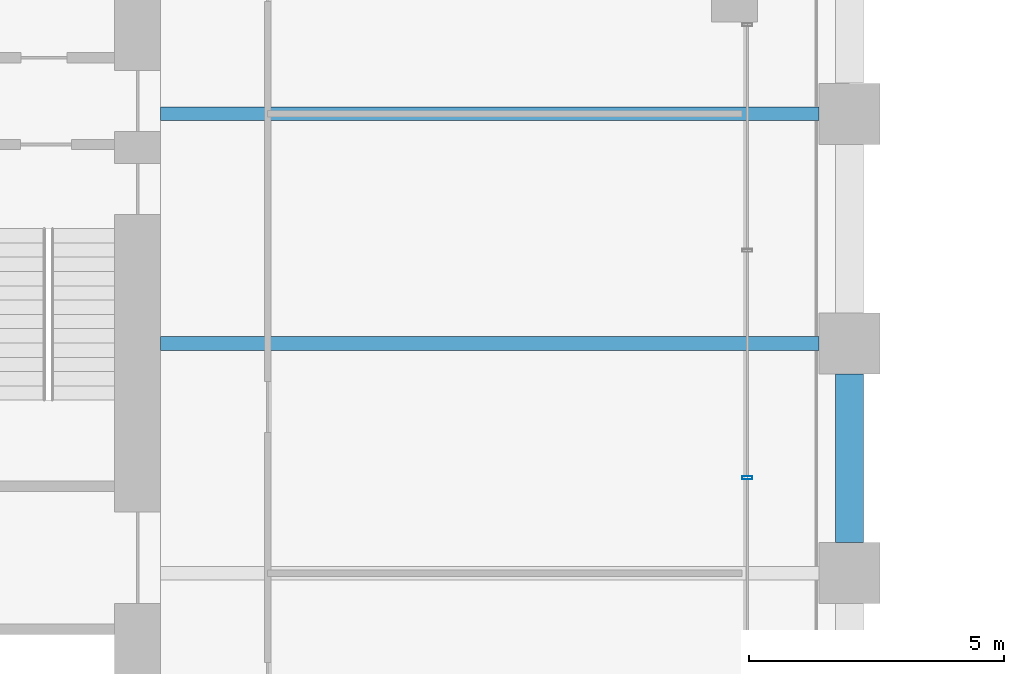
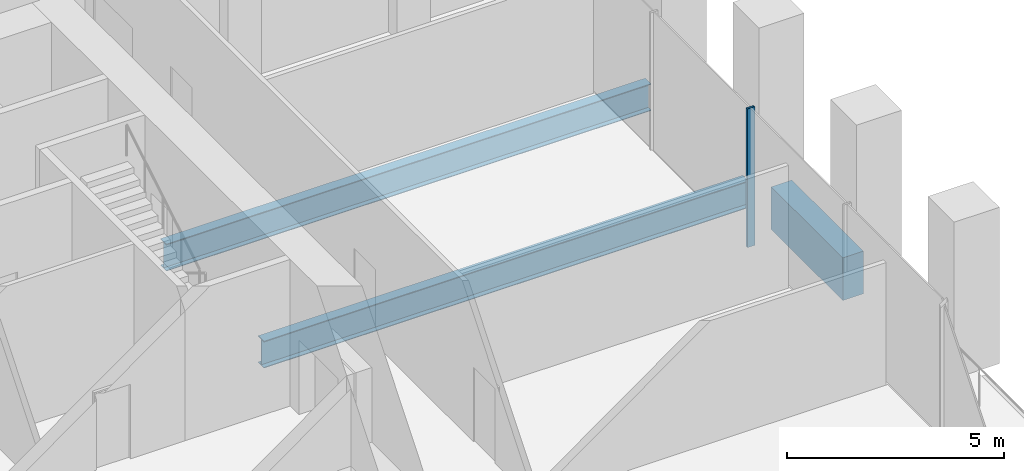
# One storey, part 11 of 36: 3 beams, 1 member, 1 element without a shape of its own.
"""IFC4 building model written with IfcOpenShell, lengths in metres."""

import ifcopenshell
import ifcopenshell.guid

model = None  # the IFC model being written
_history = None  # IfcOwnerHistory: only IFC2X3 demands one
_inside = {}  # id of a spatial element -> (the spatial element, [elements in it])
_under = {}  # id of a project, library or spatial element -> (it, [spatial elements below it])
_declared = {}  # id of a project -> (the project, [libraries it declares])
_typed = {}  # id of a type object -> (the type object, [elements of that type])
_made_of = {}  # id of a material, layer set ... -> (it, [elements and type objects made of it])


def new_model(schema):
    """Start an empty IFC model of exactly this schema.

    Asked for "IFC4X3", IfcOpenShell would pick the latest addendum, in which some entities
    have other attributes; the version numbers below select the first issue.
    IFC2X3 requires an IfcOwnerHistory on every rooted entity: one is made here for all.
    """
    global model, _history
    if schema == "IFC4X3":
        model = ifcopenshell.file(schema_version=(4, 3, 0, 0))
    else:
        model = ifcopenshell.file(schema=schema)
    _inside.clear()
    _under.clear()
    _declared.clear()
    _typed.clear()
    _made_of.clear()
    _history = None
    if model.schema == "IFC2X3":
        org = make("IfcOrganization", Name="unknown")
        user = make(
            "IfcPersonAndOrganization",
            ThePerson=make("IfcPerson", FamilyName="unknown"),
            TheOrganization=org,
        )
        app = make(
            "IfcApplication",
            ApplicationDeveloper=org,
            Version="unknown",
            ApplicationFullName="unknown",
            ApplicationIdentifier="unknown",
        )
        _history = make(
            "IfcOwnerHistory",
            OwningUser=user,
            OwningApplication=app,
            ChangeAction="ADDED",
            CreationDate=0,
        )
    return model


def make(cls, **values):
    """One entity of the class cls with the attributes given. An attribute that is None is left unset."""
    return model.create_entity(
        cls, **{name: value for name, value in values.items() if value is not None}
    )


def rooted(cls, **values):
    """An entity with a GlobalId (a new one), such as an element, a storey or a relation."""
    return make(cls, GlobalId=ifcopenshell.guid.new(), OwnerHistory=_history, **values)


def si_unit(unit_type, name, prefix=None):
    """IfcSIUnit, for example si_unit("LENGTHUNIT", "METRE", prefix="MILLI")."""
    return make("IfcSIUnit", UnitType=unit_type, Prefix=prefix, Name=name)


def assignment(units):
    """IfcUnitAssignment: the units of a project."""
    return None if units is None else make("IfcUnitAssignment", Units=units)


def point(xyz):
    """IfcCartesianPoint."""
    return None if xyz is None else make("IfcCartesianPoint", Coordinates=xyz)


def direction(xyz):
    """IfcDirection."""
    return None if xyz is None else make("IfcDirection", DirectionRatios=xyz)


def frame(location, z_axis=None, x_axis=None):
    """IfcAxis2Placement3D, a coordinate frame: its origin and axes. An axis left out is left unset."""
    return make(
        "IfcAxis2Placement3D",
        Location=point(location),
        Axis=direction(z_axis),
        RefDirection=direction(x_axis),
    )


def frame_2d(location, x_axis=None):
    """IfcAxis2Placement2D, a coordinate frame in the plane: its origin and x axis."""
    return make(
        "IfcAxis2Placement2D", Location=point(location), RefDirection=direction(x_axis)
    )


def origin():
    """The frame at (0, 0, 0) with its axes left unset."""
    return frame((0.0, 0.0, 0.0))


def origin_2d():
    """The frame at (0, 0) in the plane with its x axis left unset."""
    return frame_2d((0.0, 0.0))


def place(relative_to, where):
    """IfcLocalPlacement: puts the frame where relative to a parent placement (None: the world)."""
    return make(
        "IfcLocalPlacement", PlacementRelTo=relative_to, RelativePlacement=where
    )


def context(
    kind, dimensions, precision=None, world=None, true_north=None, identifier=None
):
    """IfcGeometricRepresentationContext, for example the 3D "Model" context."""
    return make(
        "IfcGeometricRepresentationContext",
        ContextIdentifier=identifier,
        ContextType=kind,
        CoordinateSpaceDimension=dimensions,
        Precision=precision,
        WorldCoordinateSystem=world,
        TrueNorth=true_north,
    )


def subcontext(parent, identifier, kind, view, scale=None):
    """IfcGeometricRepresentationSubContext, for example "Body" below "Model"."""
    return make(
        "IfcGeometricRepresentationSubContext",
        ContextIdentifier=identifier,
        ContextType=kind,
        ParentContext=parent,
        TargetScale=scale,
        TargetView=view,
    )


def project(units=None, contexts=None):
    """IfcProject with its units and contexts."""
    return rooted(
        "IfcProject",
        Name="project",
        RepresentationContexts=contexts,
        UnitsInContext=assignment(units),
    )


def spatial(cls, under=None, at=None, **own):
    """A site, building, storey or space (cls), placed at a placement, below another one or the project."""
    s = rooted(cls, ObjectPlacement=at, **own)
    if under is not None:
        _under.setdefault(under.id(), (under, []))[1].append(s)
    return s


def profile(cls, at=None, kind="AREA", **sizes):
    """A parametric profile (cls). Its sizes go by their IFC names, for example OverallWidth=200.0."""
    return make(cls, ProfileType=kind, Position=at, **sizes)


def rectangle(**sizes):
    """IfcRectangleProfileDef."""
    return profile("IfcRectangleProfileDef", **sizes)


def hollow_rectangle(**sizes):
    """IfcRectangleHollowProfileDef."""
    return profile("IfcRectangleHollowProfileDef", **sizes)


def i_section(**sizes):
    """IfcIShapeProfileDef."""
    return profile("IfcIShapeProfileDef", **sizes)


def extrude(swept, where, along, depth):
    """IfcExtrudedAreaSolid: the profile swept, set in the frame where, extruded along a direction by depth."""
    return make(
        "IfcExtrudedAreaSolid",
        SweptArea=swept,
        Position=where,
        ExtrudedDirection=direction(along),
        Depth=depth,
    )


def shape(context_of_items, identifier, shape_type, items):
    """IfcShapeRepresentation: the items that make up one representation, for example the "Body"."""
    return make(
        "IfcShapeRepresentation",
        ContextOfItems=context_of_items,
        RepresentationIdentifier=identifier,
        RepresentationType=shape_type,
        Items=items,
    )


def material(Name=None, Category=None):
    """IfcMaterial."""
    return make("IfcMaterial", Name=Name, Category=Category)


def material_profile(
    of_material, cross_section, Name=None, Category=None, Priority=None
):
    """IfcMaterialProfile: a cross section and its material."""
    return make(
        "IfcMaterialProfile",
        Name=Name,
        Material=of_material,
        Profile=cross_section,
        Priority=Priority,
        Category=Category,
    )


def profile_set(profiles, Name=None, composite=None):
    """IfcMaterialProfileSet."""
    return make(
        "IfcMaterialProfileSet",
        Name=Name,
        MaterialProfiles=profiles,
        CompositeProfile=composite,
    )


def made_of(thing, what):
    """Note that an element or type object is made of a material, layer set ...; save() writes the relation."""
    if what is not None:
        _made_of.setdefault(what.id(), (what, []))[1].append(thing)
    return thing


def type_object(cls, material=None, **own):
    """A type object (cls), such as IfcWallType, which elements share."""
    return made_of(rooted(cls, **own), material)


def element(
    cls,
    number,
    at=None,
    inside=None,
    cuts=None,
    type_object=None,
    material=None,
    context=None,
    identifier="Body",
    shape_type=None,
    held_by="IfcProductDefinitionShape",
    body=None,
    shapes=None,
    **own,
):
    """One element of the class cls, such as IfcWall. Its Tag is "e" and its number.

    at: its placement. inside: the storey or other place that contains it. cuts: it is an
    opening in that element (IfcRelVoidsElement). A single representation is given by context,
    identifier, shape_type and body (its items); several are given by shapes. held_by: the class
    of the entity that holds the representations. save() writes the other relations.
    """
    e = rooted(cls, Tag="e%d" % number, ObjectPlacement=at, **own)
    if body is not None:
        shapes = [shape(context, identifier, shape_type, body)]
    if shapes is not None:
        e.Representation = make(held_by, Representations=shapes)
    if inside is not None:
        _inside.setdefault(inside.id(), (inside, []))[1].append(e)
    if cuts is not None:
        rooted(
            "IfcRelVoidsElement", RelatingBuildingElement=cuts, RelatedOpeningElement=e
        )
    if type_object is not None:
        _typed.setdefault(type_object.id(), (type_object, []))[1].append(e)
    return made_of(e, material)


def aggregate(whole, parts):
    """IfcRelAggregates: a whole, such as a stair, and the parts it consists of."""
    return rooted("IfcRelAggregates", RelatingObject=whole, RelatedObjects=parts)


def save(model, path):
    """Write the relations noted so far, then the file.

    IfcRelAggregates (storeys below a building ...), IfcRelContainedInSpatialStructure (elements
    in a storey), IfcRelDefinesByType, IfcRelAssociatesMaterial and IfcRelDeclares: one each for
    every whole, place, type object, material and project.
    """
    for whole, parts in _under.values():
        aggregate(whole, parts)
    for where, things in _inside.values():
        rooted(
            "IfcRelContainedInSpatialStructure",
            RelatedElements=things,
            RelatingStructure=where,
        )
    for kind, things in _typed.values():
        rooted("IfcRelDefinesByType", RelatedObjects=things, RelatingType=kind)
    for what, things in _made_of.values():
        rooted("IfcRelAssociatesMaterial", RelatedObjects=things, RelatingMaterial=what)
    for by, libraries in _declared.values():
        rooted("IfcRelDeclares", RelatingContext=by, RelatedDefinitions=libraries)
    model.write(path)


model = new_model("IFC4")

# Units and contexts
model_context = context("Model", 3, precision=1e-05, world=origin(), true_north=direction((0.0, 1.0)))
body_context = subcontext(model_context, "Body", "Model", "MODEL_VIEW")
ifc_project = project(units=[si_unit("LENGTHUNIT", "METRE"), si_unit("AREAUNIT", "SQUARE_METRE"), si_unit("VOLUMEUNIT", "CUBIC_METRE"), si_unit("PLANEANGLEUNIT", "RADIAN"), si_unit("MASSUNIT", "GRAM", prefix="KILO")], contexts=[model_context])

# Site, building, storey
site_placement = place(None, origin())
site = spatial("IfcSite", under=ifc_project, at=site_placement, CompositionType="ELEMENT")
building_placement = place(site_placement, origin())
building = spatial("IfcBuilding", under=site, at=building_placement, Name="Altepetl Exchange Towers", CompositionType="ELEMENT")
storey_placement = place(building_placement, frame((0.0, 0.0, 25.39990234375)))
storey = spatial("IfcBuildingStorey", under=building, at=storey_placement, Name="L05", CompositionType="ELEMENT", Elevation=25.39990234375)

# Beams
ifc_material_1 = material(Name="Steel S355", Category="steel")
ifc_material_profile_1 = material_profile(ifc_material_1, i_section(OverallWidth=0.26611328125, OverallDepth=0.758056640625, WebThickness=0.013916015625, FlangeThickness=0.019287109375, at=origin_2d()), Name="W30X108")
ifc_profile_set_1 = profile_set([ifc_material_profile_1], Name="Steel S355")
beam_type_1 = type_object("IfcBeamType", Name="Floor beam W30X108", PredefinedType="BEAM", material=ifc_profile_set_1)
for number, where, z_axis, x_axis, name in (
    (1, (58.5, 49.5, -0.553955078125), (1.0, 0.0, 0.0), (0.0, 1.0, 0.0), "bm:A:L05:010"),
    (2, (58.5, 54.0, -0.553955078125), (1.0, 0.0, 0.0), (0.0, 1.0, 0.0), "bm:A:L05:011"),
):
    element("IfcBeam", number, at=place(storey_placement, frame(where, z_axis=z_axis, x_axis=x_axis)), inside=storey, type_object=beam_type_1, Name=name, PredefinedType="BEAM", context=body_context, shape_type="SweptSolid", body=[
        extrude(i_section(OverallWidth=0.26611328125, OverallDepth=0.758056640625, WebThickness=0.013916015625, FlangeThickness=0.019287109375, at=origin_2d()), origin(), (0.0, 0.0, 1.0), 12.89990234375),
    ])

# Curtain wall, member
ifc_material_2 = material(Name="Aluminium 6063-T6 glazing", Category="aluminium")
curtain_wall_type = type_object("IfcCurtainWallType", Name="Trading floor glazing system", PredefinedType="NOTDEFINED", material=ifc_material_2)
curtain_wall_placement = place(storey_placement, origin())
curtain_wall = element("IfcCurtainWall", 3, at=curtain_wall_placement, inside=storey, type_object=curtain_wall_type, Name="CW2 run", PredefinedType="NOTDEFINED")
ifc_material_3 = material(Name="Aluminium 6063-T6", Category="aluminium")
ifc_material_profile_2 = material_profile(ifc_material_3, hollow_rectangle(XDim=0.06005859375, YDim=0.199951171875, WallThickness=0.0029296875, at=origin_2d()), Name="Mullion 60x200 aluminium")
ifc_profile_set_2 = profile_set([ifc_material_profile_2], Name="Aluminium 6063-T6")
member_type = type_object("IfcMemberType", Name="Mullion 60x200 aluminium", PredefinedType="MULLION", material=ifc_profile_set_2)
member_placement = place(storey_placement, frame((70.0, 46.867919921875, 0.0), z_axis=(0.0, 0.0, 1.0), x_axis=(0.0, 1.0, 0.0)))
member = element("IfcMember", 4, at=member_placement, type_object=member_type, Name="MU2 mullion", PredefinedType="MULLION", context=body_context, shape_type="SweptSolid", body=[
    extrude(hollow_rectangle(XDim=0.06005859375, YDim=0.199951171875, WallThickness=0.0029296875, at=origin_2d()), origin(), (0.0, 0.0, 1.0), 3.900146484375),
])
aggregate(curtain_wall, [member])

# Beam
ifc_material_4 = material(Name="Concrete C50/60 precast with cantera amarilla facing", Category="concrete")
ifc_material_profile_3 = material_profile(ifc_material_4, rectangle(XDim=0.550048828125, YDim=1.199951171875, at=origin_2d()), Name="550 x 1200")
ifc_profile_set_3 = profile_set([ifc_material_profile_3], Name="Concrete C50/60 precast with cantera amarilla facing")
beam_type_2 = type_object("IfcBeamType", Name="Spandrel beam 550x1200 cantera amarilla", PredefinedType="SPANDREL", material=ifc_profile_set_3)
beam_placement = place(storey_placement, frame((72.0, 45.60009765625, -0.77490234375), z_axis=(0.0, 1.0, 0.0), x_axis=(-1.0, 0.0, 0.0)))
element("IfcBeam", 5, at=beam_placement, inside=storey, type_object=beam_type_2, Name="sp:A:L05:015", PredefinedType="SPANDREL", context=body_context, shape_type="SweptSolid", body=[
    extrude(rectangle(XDim=0.550048828125, YDim=1.199951171875, at=origin_2d()), origin(), (0.0, 0.0, 1.0), 3.2998046875),
])

save(model, "model.ifc")
